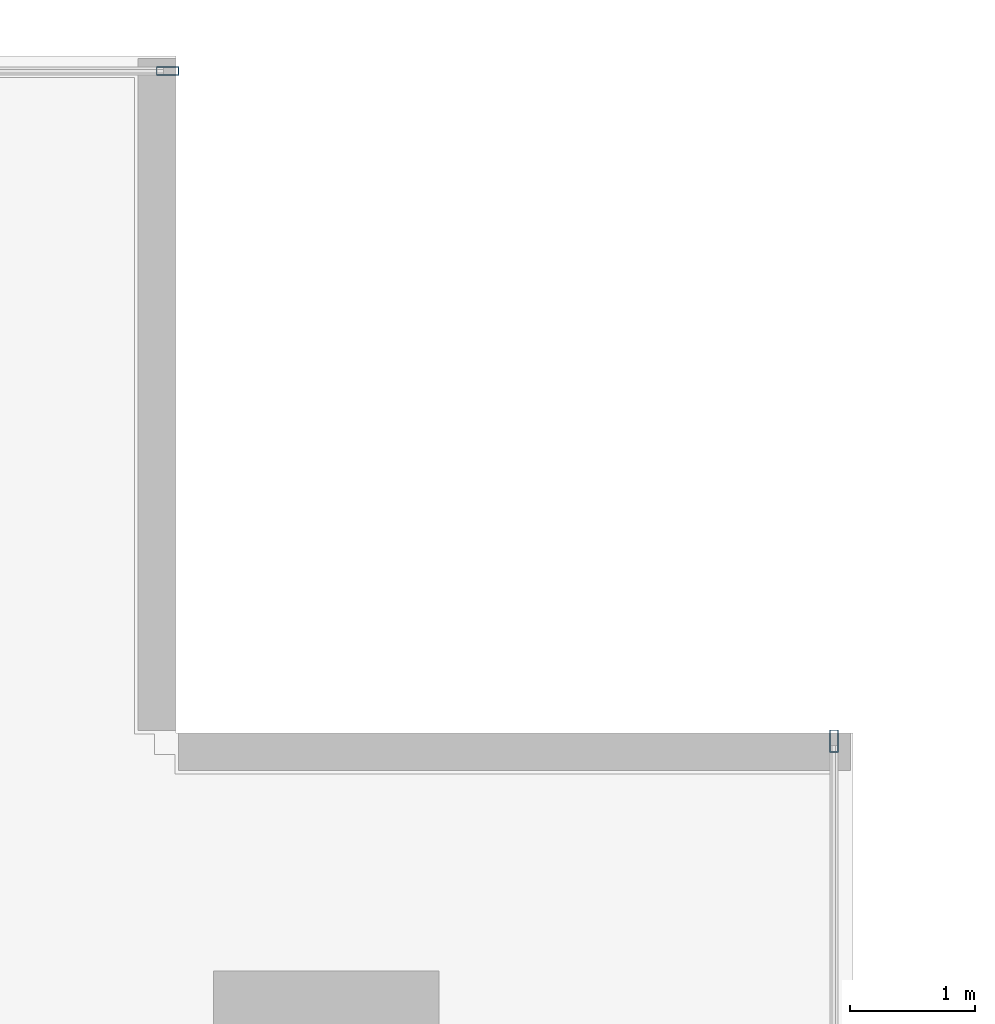
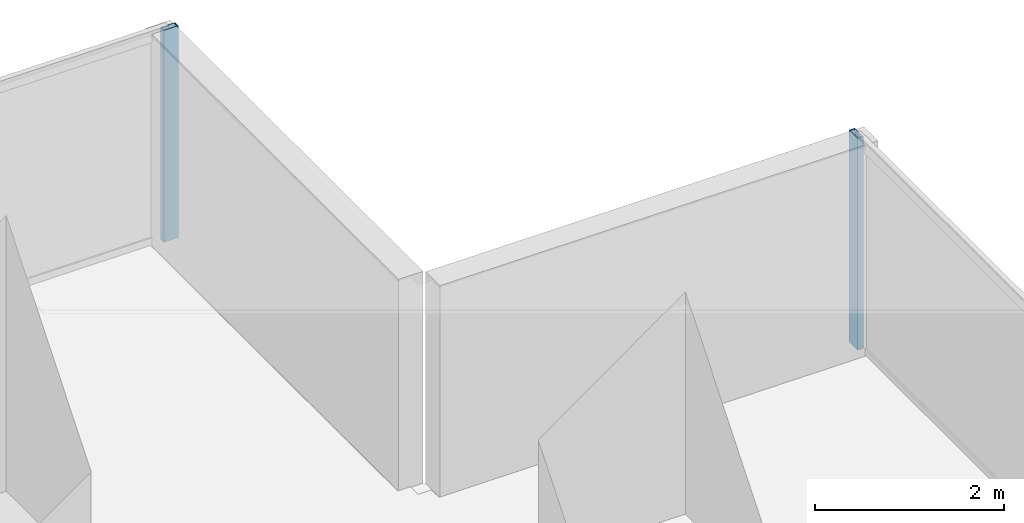
# One storey, part 23 of 33: 2 members, 2 elements without a shape of their own.
"""IFC4 building model written with IfcOpenShell, lengths in metres."""

from ifc_helpers import new_model, si_unit, direction, frame, origin, origin_2d, place, context, subcontext, project, spatial, hollow_rectangle, extrude, source, transform, mapped, material, layer, layer_set, material_profile, profile_set, type_object, element, aggregate, save


model = new_model("IFC4")

# Units and contexts
model_context = context("Model", 3, precision=1e-05, world=origin(), true_north=direction((0.0, 1.0)))
body_context = subcontext(model_context, "Body", "Model", "MODEL_VIEW")
ifc_project = project(units=[si_unit("LENGTHUNIT", "METRE"), si_unit("AREAUNIT", "SQUARE_METRE"), si_unit("VOLUMEUNIT", "CUBIC_METRE"), si_unit("PLANEANGLEUNIT", "RADIAN"), si_unit("MASSUNIT", "GRAM", prefix="KILO")], contexts=[model_context])

# Site, building, storey
site_placement = place(None, origin())
site = spatial("IfcSite", under=ifc_project, at=site_placement, CompositionType="ELEMENT")
building_placement = place(site_placement, origin())
building = spatial("IfcBuilding", under=site, at=building_placement, Name="Sumidabori Civic Tower", CompositionType="ELEMENT")
storey_placement = place(building_placement, frame((0.0, 0.0, 23.60009765625)))
storey = spatial("IfcBuildingStorey", under=building, at=storey_placement, Name="L05", CompositionType="ELEMENT", Elevation=23.60009765625)

# Curtain wall, member
ifc_material = material(Name="Anodised Bronze Aluminium AW-6063-T6", Category="aluminium")
ifc_layer = layer(ifc_material, 0.179931640625, Name="Anodised Bronze Aluminium AW-6063-T6")
ifc_layer_set = layer_set([ifc_layer], Name="Anodised Bronze Aluminium AW-6063-T6")
curtain_wall_type = type_object("IfcCurtainWallType", Name="CW-SYS-2", PredefinedType="NOTDEFINED", material=ifc_layer_set)
curtain_wall_1_placement = place(storey_placement, origin())
curtain_wall_1 = element("IfcCurtainWall", 1, at=curtain_wall_1_placement, inside=storey, type_object=curtain_wall_type, Name="Curtain Wall CW:L05:R05", PredefinedType="NOTDEFINED")
ifc_material_profile = material_profile(ifc_material, hollow_rectangle(XDim=0.070068359375, YDim=0.179931640625, WallThickness=0.006103515625, at=origin_2d()), Name="ALU MULLION 180x70")
ifc_profile_set = profile_set([ifc_material_profile], Name="Anodised Bronze Aluminium AW-6063-T6")
member_type = type_object("IfcMemberType", Name="CW-MUL-180", PredefinedType="MULLION", material=ifc_profile_set)
shared_shape = source(origin(), body_context, "Body", "SweptSolid", [
    extrude(hollow_rectangle(XDim=0.070068359375, YDim=0.179931640625, WallThickness=0.006103515625, at=origin_2d()), origin(), (0.0, 0.0, 1.0), 2.739990234375),
])
member_1_placement = place(storey_placement, frame((26.85009765625, 21.534912109375, 0.0), z_axis=(0.0, 0.0, 1.0), x_axis=(-1.0, 0.0, 0.0)))
member_1 = element("IfcMember", 2, at=member_1_placement, type_object=member_type, Name="CW-2 mullion 3", PredefinedType="MULLION", context=body_context, shape_type="MappedRepresentation", body=[
    mapped(shared_shape, transform((0.0, 0.0, 0.0), x_axis=(1.0, 0.0, 0.0), y_axis=(0.0, 1.0, 0.0), z_axis=(0.0, 0.0, 1.0), scale=1.0)),
])
aggregate(curtain_wall_1, [member_1])

curtain_wall_2_placement = place(storey_placement, origin())
curtain_wall_2 = element("IfcCurtainWall", 3, at=curtain_wall_2_placement, inside=storey, type_object=curtain_wall_type, Name="Curtain Wall CW:L05:R08", PredefinedType="NOTDEFINED")
member_2_placement = place(storey_placement, frame((21.534912109375, 26.8798828125, 0.0), z_axis=(0.0, 0.0, 1.0), x_axis=(0.0, -1.0, 0.0)))
member_2 = element("IfcMember", 4, at=member_2_placement, type_object=member_type, Name="CW-2 mullion 1", PredefinedType="MULLION", context=body_context, shape_type="MappedRepresentation", body=[
    mapped(shared_shape, transform((0.0, 0.0, 0.0), x_axis=(1.0, 0.0, 0.0), y_axis=(0.0, 1.0, 0.0), z_axis=(0.0, 0.0, 1.0), scale=1.0)),
])
aggregate(curtain_wall_2, [member_2])

save(model, "model.ifc")
